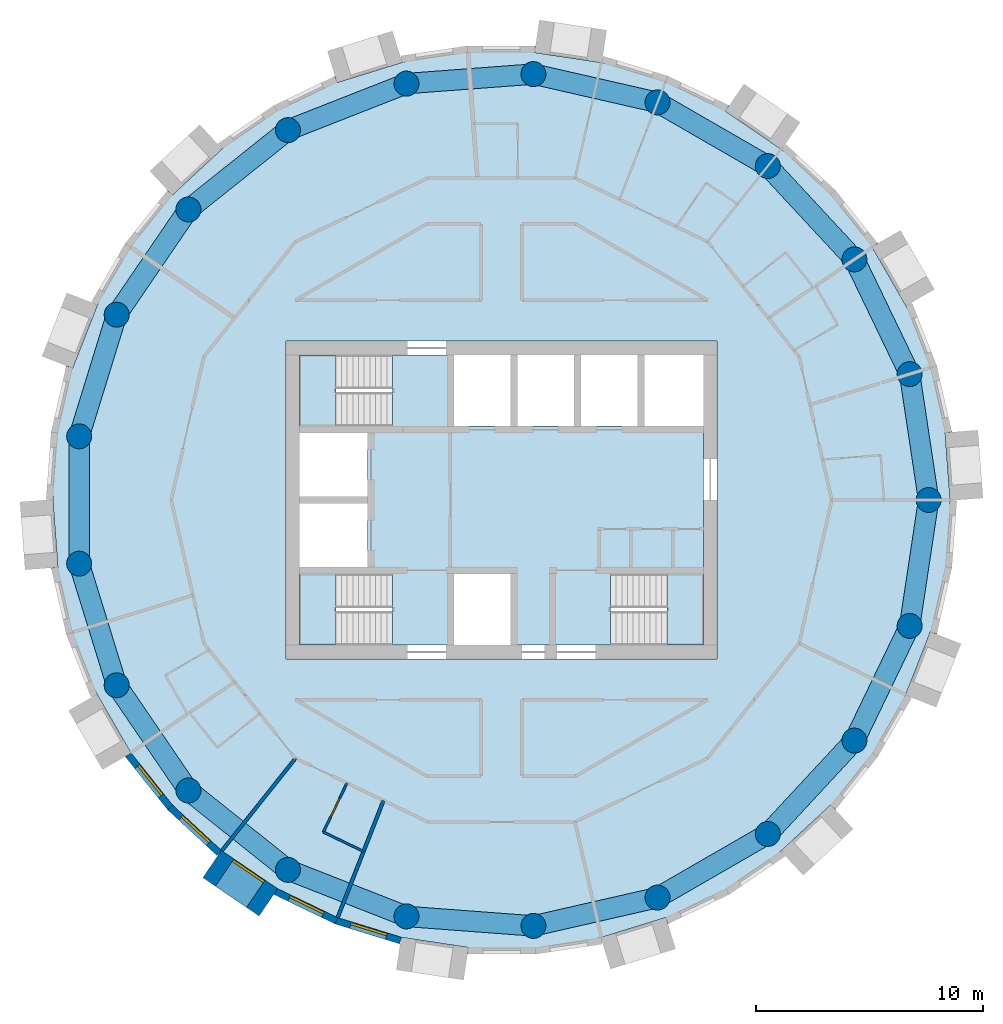
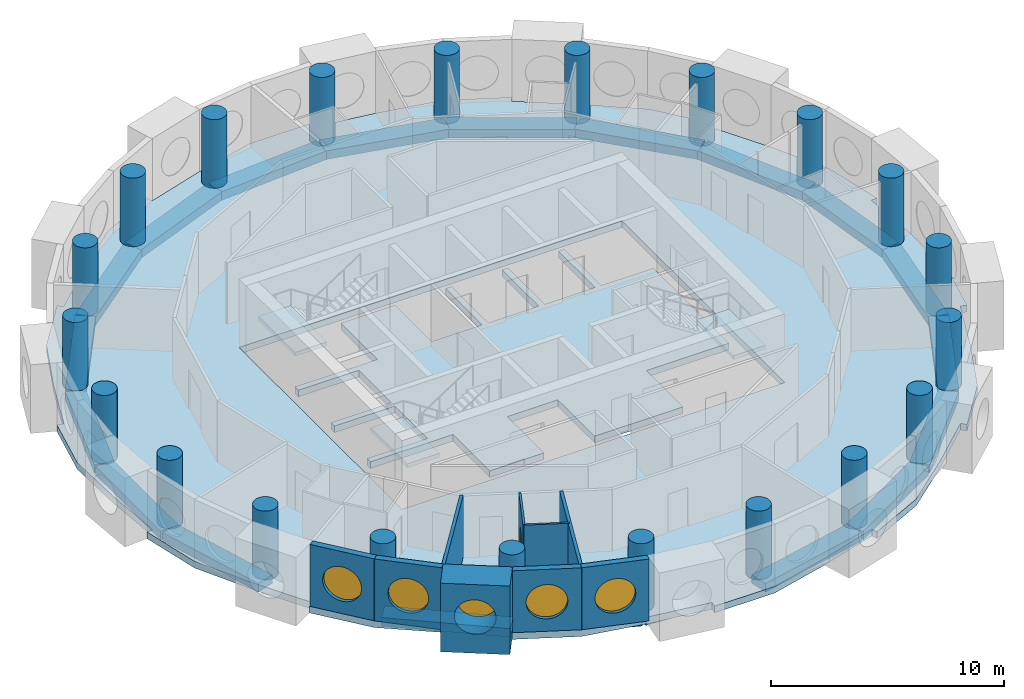
# One storey, part 1 of 13: 21 beams, 21 columns, 9 walls, 5 slabs, 5 windows, 1 door, 6 openings, 3 elements without a shape of their own.
"""IFC4 building model written with IfcOpenShell, lengths in metres."""

from ifc_helpers import new_model, si_unit, direction, frame, frame_2d, origin, origin_2d, place, context, subcontext, project, spatial, polyline, rectangle, circle, outline, extrude, material, layer, layer_set, material_profile, profile_set, type_object, element, fill, aggregate, save


model = new_model("IFC4")

# Units and contexts
model_context = context("Model", 3, precision=1e-05, world=origin(), true_north=direction((0.0, 1.0)))
body_context = subcontext(model_context, "Body", "Model", "MODEL_VIEW")
ifc_project = project(units=[si_unit("LENGTHUNIT", "METRE"), si_unit("AREAUNIT", "SQUARE_METRE"), si_unit("VOLUMEUNIT", "CUBIC_METRE"), si_unit("PLANEANGLEUNIT", "RADIAN"), si_unit("MASSUNIT", "GRAM", prefix="KILO")], contexts=[model_context])

# Site, building, storey
site_placement = place(None, origin())
site = spatial("IfcSite", under=ifc_project, at=site_placement, CompositionType="ELEMENT")
building_placement = place(site_placement, origin())
building = spatial("IfcBuilding", under=site, at=building_placement, Name="Tracery Tower", CompositionType="ELEMENT")
storey_placement = place(building_placement, frame((0.0, 0.0, 256.199951171875)))
storey = spatial("IfcBuildingStorey", under=building, at=storey_placement, Name="L66", CompositionType="ELEMENT", Elevation=256.199951171875)

# Columns
ifc_material_1 = material(Name="Concrete C40/50", Category="concrete")
ifc_material_profile_1 = material_profile(ifc_material_1, circle(Radius=0.550048828125, at=origin_2d()), Name="RC D1100")
ifc_profile_set_1 = profile_set([ifc_material_profile_1], Name="Concrete C40/50")
column_type = type_object("IfcColumnType", Name="Ring 2 column 1100", PredefinedType="COLUMN", material=ifc_profile_set_1)
for number, where, z_axis, x_axis, name in (
    (1, (18.822265625, 0.0, 0.0), (0.0, 0.0, 1.0), (1.0, 0.0, 0.0), "Ring 2 column 00 at L66"),
    (2, (17.986083984375, 5.5478515625, 0.0), (0.0, 0.0, 1.0), (1.0, 0.0, 0.0), "Ring 2 column 01 at L66"),
    (3, (15.551513671875, 10.602783203125, 0.0), (0.0, 0.0, 1.0), (1.0, 0.0, 0.0), "Ring 2 column 02 at L66"),
    (4, (11.7353515625, 14.7158203125, 0.0), (0.0, 0.0, 1.0), (1.0, 0.0, 0.0), "Ring 2 column 03 at L66"),
    (5, (6.87646484375, 17.52099609375, 0.0), (0.0, 0.0, 1.0), (1.0, 0.0, 0.0), "Ring 2 column 04 at L66"),
    (6, (1.406494140625, 18.76953125, 0.0), (0.0, 0.0, 1.0), (1.0, 0.0, 0.0), "Ring 2 column 05 at L66"),
    (7, (-4.188232421875, 18.350341796875, 0.0), (0.0, 0.0, 1.0), (1.0, 0.0, 0.0), "Ring 2 column 06 at L66"),
    (8, (-9.4111328125, 16.300537109375, 0.0), (0.0, 0.0, 1.0), (1.0, 0.0, 0.0), "Ring 2 column 07 at L66"),
    (9, (-13.797607421875, 12.802490234375, 0.0), (0.0, 0.0, 1.0), (1.0, 0.0, 0.0), "Ring 2 column 08 at L66"),
    (10, (-16.958251953125, 8.16650390625, 0.0), (0.0, 0.0, 1.0), (1.0, 0.0, 0.0), "Ring 2 column 09 at L66"),
    (11, (-18.612060546875, 2.805419921875, 0.0), (0.0, 0.0, 1.0), (1.0, 0.0, 0.0), "Ring 2 column 10 at L66"),
    (12, (-18.612060546875, -2.805419921875, 0.0), (0.0, 0.0, 1.0), (1.0, 0.0, 0.0), "Ring 2 column 11 at L66"),
    (13, (-16.958251953125, -8.166748046875, 0.0), (0.0, 0.0, 1.0), (1.0, 0.0, 0.0), "Ring 2 column 12 at L66"),
    (14, (-13.797607421875, -12.80224609375, 0.0), (0.0, 0.0, 1.0), (1.0, 0.0, 0.0), "Ring 2 column 13 at L66"),
    (15, (-9.4111328125, -16.300537109375, 0.0), (0.0, 0.0, 1.0), (1.0, 0.0, 0.0), "Ring 2 column 14 at L66"),
    (16, (-4.188232421875, -18.350341796875, 0.0), (0.0, 0.0, 1.0), (1.0, 0.0, 0.0), "Ring 2 column 15 at L66"),
    (17, (1.406494140625, -18.76953125, 0.0), (0.0, 0.0, 1.0), (1.0, 0.0, 0.0), "Ring 2 column 16 at L66"),
    (18, (6.87646484375, -17.52099609375, 0.0), (0.0, 0.0, 1.0), (1.0, 0.0, 0.0), "Ring 2 column 17 at L66"),
    (19, (11.7353515625, -14.7158203125, 0.0), (0.0, 0.0, 1.0), (1.0, 0.0, 0.0), "Ring 2 column 18 at L66"),
    (20, (15.551513671875, -10.602783203125, 0.0), (0.0, 0.0, 1.0), (1.0, 0.0, 0.0), "Ring 2 column 19 at L66"),
    (21, (17.986083984375, -5.5478515625, 0.0), (0.0, 0.0, 1.0), (1.0, 0.0, 0.0), "Ring 2 column 20 at L66"),
):
    element("IfcColumn", number, at=place(storey_placement, frame(where, z_axis=z_axis, x_axis=x_axis)), inside=storey, type_object=column_type, Name=name, PredefinedType="COLUMN", context=body_context, shape_type="SweptSolid", body=[
        extrude(circle(Radius=0.550048828125, at=origin_2d()), origin(), (0.0, 0.0, 1.0), 3.60009765625),
    ])

# Beams
ifc_material_2 = material(Name="Concrete C40/50", Category="concrete")
ifc_material_profile_2 = material_profile(ifc_material_2, rectangle(XDim=0.89990234375, YDim=0.449951171875, at=origin_2d()), Name="RC 900x450")
ifc_profile_set_2 = profile_set([ifc_material_profile_2], Name="Concrete C40/50")
beam_type = type_object("IfcBeamType", Name="Perimeter band beam 900x450", PredefinedType="BEAM", material=ifc_profile_set_2)
for number, where, z_axis, x_axis, name in (
    (22, (18.822265625, 0.0, -0.574951171875), (-0.149038355855, 0.988831415603, 0.0), (-0.988831415603, -0.149038355855, 0.0), "Perimeter beam 2.00 under L66"),
    (23, (17.986083984375, 5.5478515625, -0.574951171875), (-0.433918973155, 0.900951899235, 0.0), (-0.900951899235, -0.433918973155, 0.0), "Perimeter beam 2.01 under L66"),
):
    element("IfcBeam", number, at=place(storey_placement, frame(where, z_axis=z_axis, x_axis=x_axis)), inside=storey, type_object=beam_type, Name=name, PredefinedType="BEAM", context=body_context, shape_type="SweptSolid", body=[
        extrude(rectangle(XDim=0.89990234375, YDim=0.449951171875, at=origin_2d()), origin(), (0.0, 0.0, 1.0), 5.610595703125),
    ])
beam_1_placement = place(storey_placement, frame((15.551513671875, 10.602783203125, -0.574951171875), z_axis=(-0.680155630824, 0.733067744386, 0.0), x_axis=(-0.733067744386, -0.680155630824, 0.0)))
element("IfcBeam", 24, at=beam_1_placement, inside=storey, type_object=beam_type, Name="Perimeter beam 2.02 under L66", PredefinedType="BEAM", context=body_context, shape_type="SweptSolid", body=[
    extrude(rectangle(XDim=0.89990234375, YDim=0.449951171875, at=origin_2d()), origin(), (0.0, 0.0, 1.0), 5.61083984375),
])
for number, where, z_axis, x_axis, name in (
    (25, (11.7353515625, 14.7158203125, -0.574951171875), (-0.866033412818, 0.49998612769, 0.0), (-0.49998612769, -0.866033412818, 0.0), "Perimeter beam 2.03 under L66"),
    (26, (6.87646484375, 17.52099609375, -0.574951171875), (-0.974925977366, 0.222529410768, 0.0), (-0.222529410768, -0.974925977366, 0.0), "Perimeter beam 2.04 under L66"),
):
    element("IfcBeam", number, at=place(storey_placement, frame(where, z_axis=z_axis, x_axis=x_axis)), inside=storey, type_object=beam_type, Name=name, PredefinedType="BEAM", context=body_context, shape_type="SweptSolid", body=[
        extrude(rectangle(XDim=0.89990234375, YDim=0.449951171875, at=origin_2d()), origin(), (0.0, 0.0, 1.0), 5.610595703125),
    ])
beam_2_placement = place(storey_placement, frame((1.406494140625, 18.76953125, -0.574951171875), z_axis=(-0.997204824387, -0.07471638521, 0.0), x_axis=(0.07471638521, -0.997204824387, 0.0)))
element("IfcBeam", 27, at=beam_2_placement, inside=storey, type_object=beam_type, Name="Perimeter beam 2.05 under L66", PredefinedType="BEAM", context=body_context, shape_type="SweptSolid", body=[
    extrude(rectangle(XDim=0.89990234375, YDim=0.449951171875, at=origin_2d()), origin(), (0.0, 0.0, 1.0), 5.6103515625),
])
beam_3_placement = place(storey_placement, frame((-4.188232421875, 18.350341796875, -0.574951171875), z_axis=(-0.930875728468, -0.365335979817, 0.0), x_axis=(0.365335979817, -0.930875728468, 0.0)))
element("IfcBeam", 28, at=beam_3_placement, inside=storey, type_object=beam_type, Name="Perimeter beam 2.06 under L66", PredefinedType="BEAM", context=body_context, shape_type="SweptSolid", body=[
    extrude(rectangle(XDim=0.89990234375, YDim=0.449951171875, at=origin_2d()), origin(), (0.0, 0.0, 1.0), 5.61083984375),
])
beam_4_placement = place(storey_placement, frame((-9.4111328125, 16.300537109375, -0.574951171875), z_axis=(-0.781835817725, -0.623484365579, 0.0), x_axis=(0.623484365579, -0.781835817725, 0.0)))
element("IfcBeam", 29, at=beam_4_placement, inside=storey, type_object=beam_type, Name="Perimeter beam 2.07 under L66", PredefinedType="BEAM", context=body_context, shape_type="SweptSolid", body=[
    extrude(rectangle(XDim=0.89990234375, YDim=0.449951171875, at=origin_2d()), origin(), (0.0, 0.0, 1.0), 5.610595703125),
])
beam_5_placement = place(storey_placement, frame((-13.797607421875, 12.802490234375, -0.574951171875), z_axis=(-0.563305770578, -0.826248515178, 0.0), x_axis=(0.826248515178, -0.563305770578, 0.0)))
element("IfcBeam", 30, at=beam_5_placement, inside=storey, type_object=beam_type, Name="Perimeter beam 2.08 under L66", PredefinedType="BEAM", context=body_context, shape_type="SweptSolid", body=[
    extrude(rectangle(XDim=0.89990234375, YDim=0.449951171875, at=origin_2d()), origin(), (0.0, 0.0, 1.0), 5.61083984375),
])
beam_6_placement = place(storey_placement, frame((-16.958251953125, 8.16650390625, -0.574951171875), z_axis=(-0.294776851839, -0.955566118916, 0.0), x_axis=(0.955566118916, -0.294776851839, 0.0)))
element("IfcBeam", 31, at=beam_6_placement, inside=storey, type_object=beam_type, Name="Perimeter beam 2.09 under L66", PredefinedType="BEAM", context=body_context, shape_type="SweptSolid", body=[
    extrude(rectangle(XDim=0.89990234375, YDim=0.449951171875, at=origin_2d()), origin(), (0.0, 0.0, 1.0), 5.6103515625),
])
beam_7_placement = place(storey_placement, frame((-18.612060546875, 2.805419921875, -0.574951171875), z_axis=(0.0, -1.0, 0.0), x_axis=(1.0, 0.0, 0.0)))
element("IfcBeam", 32, at=beam_7_placement, inside=storey, type_object=beam_type, Name="Perimeter beam 2.10 under L66", PredefinedType="BEAM", context=body_context, shape_type="SweptSolid", body=[
    extrude(rectangle(XDim=0.89990234375, YDim=0.449951171875, at=origin_2d()), origin(), (0.0, 0.0, 1.0), 5.61083984375),
])
for number, where, z_axis, x_axis, name in (
    (33, (-18.612060546875, -2.805419921875, -0.574951171875), (0.294764594813, -0.955569899926, 0.0), (0.955569899926, 0.294764594813, 0.0), "Perimeter beam 2.11 under L66"),
    (34, (-16.958251953125, -8.166748046875, -0.574951171875), (0.5633462764, -0.826220898348, 0.0), (0.826220898348, 0.5633462764, 0.0), "Perimeter beam 2.12 under L66"),
    (35, (-13.797607421875, -12.80224609375, -0.574951171875), (0.781814605872, -0.623510963853, 0.0), (0.623510963853, 0.781814605872, 0.0), "Perimeter beam 2.13 under L66"),
):
    element("IfcBeam", number, at=place(storey_placement, frame(where, z_axis=z_axis, x_axis=x_axis)), inside=storey, type_object=beam_type, Name=name, PredefinedType="BEAM", context=body_context, shape_type="SweptSolid", body=[
        extrude(rectangle(XDim=0.89990234375, YDim=0.449951171875, at=origin_2d()), origin(), (0.0, 0.0, 1.0), 5.610595703125),
    ])
beam_8_placement = place(storey_placement, frame((-9.4111328125, -16.300537109375, -0.574951171875), z_axis=(0.930875728468, -0.365335979817, 0.0), x_axis=(0.365335979817, 0.930875728468, 0.0)))
element("IfcBeam", 36, at=beam_8_placement, inside=storey, type_object=beam_type, Name="Perimeter beam 2.14 under L66", PredefinedType="BEAM", context=body_context, shape_type="SweptSolid", body=[
    extrude(rectangle(XDim=0.89990234375, YDim=0.449951171875, at=origin_2d()), origin(), (0.0, 0.0, 1.0), 5.61083984375),
])
beam_9_placement = place(storey_placement, frame((-4.188232421875, -18.350341796875, -0.574951171875), z_axis=(0.997204824387, -0.07471638521, 0.0), x_axis=(0.07471638521, 0.997204824387, 0.0)))
element("IfcBeam", 37, at=beam_9_placement, inside=storey, type_object=beam_type, Name="Perimeter beam 2.15 under L66", PredefinedType="BEAM", context=body_context, shape_type="SweptSolid", body=[
    extrude(rectangle(XDim=0.89990234375, YDim=0.449951171875, at=origin_2d()), origin(), (0.0, 0.0, 1.0), 5.6103515625),
])
for number, where, z_axis, x_axis, name in (
    (38, (1.406494140625, -18.76953125, -0.574951171875), (0.974925977366, 0.222529410768, 0.0), (-0.222529410768, 0.974925977366, 0.0), "Perimeter beam 2.16 under L66"),
    (39, (6.87646484375, -17.52099609375, -0.574951171875), (0.866033412818, 0.49998612769, 0.0), (-0.49998612769, 0.866033412818, 0.0), "Perimeter beam 2.17 under L66"),
):
    element("IfcBeam", number, at=place(storey_placement, frame(where, z_axis=z_axis, x_axis=x_axis)), inside=storey, type_object=beam_type, Name=name, PredefinedType="BEAM", context=body_context, shape_type="SweptSolid", body=[
        extrude(rectangle(XDim=0.89990234375, YDim=0.449951171875, at=origin_2d()), origin(), (0.0, 0.0, 1.0), 5.610595703125),
    ])
beam_10_placement = place(storey_placement, frame((11.7353515625, -14.7158203125, -0.574951171875), z_axis=(0.680155630824, 0.733067744386, 0.0), x_axis=(-0.733067744386, 0.680155630824, 0.0)))
element("IfcBeam", 40, at=beam_10_placement, inside=storey, type_object=beam_type, Name="Perimeter beam 2.18 under L66", PredefinedType="BEAM", context=body_context, shape_type="SweptSolid", body=[
    extrude(rectangle(XDim=0.89990234375, YDim=0.449951171875, at=origin_2d()), origin(), (0.0, 0.0, 1.0), 5.61083984375),
])
for number, where, z_axis, x_axis, name in (
    (41, (15.551513671875, -10.602783203125, -0.574951171875), (0.433918973155, 0.900951899235, 0.0), (-0.900951899235, 0.433918973155, 0.0), "Perimeter beam 2.19 under L66"),
    (42, (17.986083984375, -5.5478515625, -0.574951171875), (0.149038355855, 0.988831415603, 0.0), (-0.988831415603, 0.149038355855, 0.0), "Perimeter beam 2.20 under L66"),
):
    element("IfcBeam", number, at=place(storey_placement, frame(where, z_axis=z_axis, x_axis=x_axis)), inside=storey, type_object=beam_type, Name=name, PredefinedType="BEAM", context=body_context, shape_type="SweptSolid", body=[
        extrude(rectangle(XDim=0.89990234375, YDim=0.449951171875, at=origin_2d()), origin(), (0.0, 0.0, 1.0), 5.610595703125),
    ])

# Slabs
ifc_material_3 = material(Name="Concrete C40/50", Category="concrete")
ifc_layer_1 = layer(ifc_material_3, 0.35009765625)
ifc_layer_set_1 = layer_set([ifc_layer_1], Name="Core floor slab 350 C40")
slab_type_1 = type_object("IfcSlabType", Name="Core floor slab 350 C40", PredefinedType="FLOOR", material=ifc_layer_set_1)
slab_1_placement = place(storey_placement, frame((0.0, 0.0, -0.349853515625)))
element("IfcSlab", 43, at=slab_1_placement, inside=storey, type_object=slab_type_1, Name="L66 core floor 1", PredefinedType="FLOOR", context=body_context, shape_type="SweptSolid", body=[
    extrude(outline(polyline([(-4.800537109375, -3.25), (-8.89990234375, -3.25), (-8.89990234375, -2.949951171875), (-5.89990234375, -2.949951171875), (-5.89990234375, -0.14990234375), (-8.89990234375, -0.14990234375), (-8.89990234375, 0.14990234375), (-5.89990234375, 0.14990234375), (-5.89990234375, 2.949951171875), (-8.89990234375, 2.949951171875), (-8.89990234375, 3.25), (-4.800537109375, 3.25), (-4.800537109375, 6.39990234375), (-2.10009765625, 6.39990234375), (-2.10009765625, 3.25), (0.39990234375, 3.25), (0.39990234375, 6.39990234375), (0.699951171875, 6.39990234375), (0.699951171875, 3.25), (3.199951171875, 3.25), (3.199951171875, 6.39990234375), (3.5, 6.39990234375), (3.5, 3.25), (6.0, 3.25), (6.0, 6.39990234375), (6.300048828125, 6.39990234375), (6.300048828125, 3.25), (8.89990234375, 3.25), (8.89990234375, -3.25), (4.800537109375, -3.25), (4.800537109375, -6.39990234375), (0.39990234375, -6.39990234375), (0.39990234375, -3.25), (-2.10009765625, -3.25), (-2.10009765625, -6.39990234375), (-4.800537109375, -6.39990234375), (-4.800537109375, -3.25)])), origin(), (0.0, 0.0, 1.0), 0.349853515625),
])
ifc_material_4 = material(Name="Concrete C40/50", Category="concrete")
ifc_layer_2 = layer(ifc_material_4, 0.35009765625)
ifc_layer_set_2 = layer_set([ifc_layer_2], Name="Floor slab 350")
slab_type_2 = type_object("IfcSlabType", Name="Floor slab 350", PredefinedType="FLOOR", material=ifc_layer_set_2)
slab_2_placement = place(storey_placement, frame((0.0, 0.0, -0.349853515625)))
element("IfcSlab", 44, at=slab_2_placement, inside=storey, type_object=slab_type_2, Name="Floor slab L66", PredefinedType="FLOOR", context=body_context, shape_type="SweptSolid", body=[
    extrude(outline(polyline([(19.550537109375, 2.94677734375), (19.548828125, 2.96923828125), (19.847900390625, 2.99169921875), (19.180419921875, 5.91650390625), (17.813720703125, 8.577880859375), (16.32470703125, 11.156982421875), (16.583984375, 11.306884765625), (16.58447265625, 11.30712890625), (14.714111328125, 13.652587890625), (12.3271484375, 15.4580078125), (9.8671875, 17.13525390625), (10.0361328125, 17.383056640625), (7.333251953125, 18.684814453125), (4.3994140625, 19.275634765625), (2.3466796875, 19.585205078125), (1.455322265625, 19.719482421875), (1.5, 20.01611328125), (1.5, 20.01611328125), (-1.5, 20.01611328125), (-4.3994140625, 19.275634765625), (-7.223388671875, 18.404541015625), (-7.223388671875, 18.404541015625), (-7.244873046875, 18.39794921875), (-7.333251953125, 18.684814453125), (-10.0361328125, 17.383056640625), (-12.3271484375, 15.4580078125), (-14.493408203125, 13.447998046875), (-14.493408203125, 13.447998046875), (-14.510009765625, 13.4326171875), (-14.714111328125, 13.652587890625), (-14.714111328125, 13.652587890625), (-16.58447265625, 11.30712890625), (-17.81298828125, 8.5791015625), (-18.901123046875, 5.806884765625), (-19.180419921875, 5.91650390625), (-19.847900390625, 2.99169921875), (-19.771484375, 0.000732421875), (-19.63720703125, -1.789306640625), (-19.550537109375, -2.94677734375), (-19.550537109375, -2.94677734375), (-19.548828125, -2.96923828125), (-19.847900390625, -2.99169921875), (-19.180419921875, -5.91650390625), (-17.813720703125, -8.577880859375), (-16.32470703125, -11.156982421875), (-16.583984375, -11.306884765625), (-16.58447265625, -11.30712890625), (-14.714111328125, -13.652587890625), (-12.3271484375, -15.4580078125), (-9.8671875, -17.13525390625), (-10.0361328125, -17.383056640625), (-7.333251953125, -18.684814453125), (-4.3994140625, -19.275634765625), (-2.3466796875, -19.585205078125), (-1.455322265625, -19.719482421875), (-1.5, -20.01611328125), (-1.5, -20.01611328125), (1.5, -20.01611328125), (4.3994140625, -19.275634765625), (7.223388671875, -18.404541015625), (7.223388671875, -18.404541015625), (7.244873046875, -18.39794921875), (7.333251953125, -18.684814453125), (10.0361328125, -17.383056640625), (12.3271484375, -15.4580078125), (14.493408203125, -13.447998046875), (14.493408203125, -13.447998046875), (14.510009765625, -13.4326171875), (14.714111328125, -13.652587890625), (14.714111328125, -13.652587890625), (16.58447265625, -11.30712890625), (17.81298828125, -8.5791015625), (18.901123046875, -5.806884765625), (19.180419921875, -5.91650390625), (19.847900390625, -2.99169921875), (19.771484375, -0.000732421875), (19.63720703125, 1.789306640625), (19.550537109375, 2.94677734375), (19.550537109375, 2.94677734375)]), holes=[polyline([(-9.5, -7.0), (9.5, -7.0), (9.5, 7.0), (-9.5, 7.0), (-9.5, -7.0)])]), origin(), (0.0, 0.0, 1.0), 0.349853515625),
])

# Stair, slab
ifc_material_5 = material(Name="Concrete C32/40", Category="concrete")
stair_type = type_object("IfcStairType", Name="Core stair 22 risers", PredefinedType="HALF_TURN_STAIR", material=ifc_material_5)
stair_1_placement = place(storey_placement, origin())
stair_1 = element("IfcStair", 45, at=stair_1_placement, inside=storey, type_object=stair_type, Name="L66 stair ST1", PredefinedType="HALF_TURN_STAIR")
ifc_material_6 = material(Name="Concrete C32/40", Category="concrete")
ifc_layer_3 = layer(ifc_material_6, 0.199951171875)
ifc_layer_set_3 = layer_set([ifc_layer_3], Name="Stair landing slab 200")
slab_type_3 = type_object("IfcSlabType", Name="Stair landing slab 200", PredefinedType="LANDING", material=ifc_layer_set_3)
slab_3_placement = place(storey_placement, frame((0.0, 0.0, 1.60009765625)))
slab_3 = element("IfcSlab", 46, at=slab_3_placement, type_object=slab_type_3, Name="ST1 landing 1", PredefinedType="LANDING", context=body_context, shape_type="SweptSolid", body=[
    extrude(outline(polyline([(-7.29931640625, -3.25), (-8.89990234375, -3.25), (-8.89990234375, -6.39990234375), (-7.29931640625, -6.39990234375), (-7.29931640625, -3.25)])), origin(), (0.0, 0.0, 1.0), 0.199951171875),
])
aggregate(stair_1, [slab_3])

stair_2_placement = place(storey_placement, origin())
stair_2 = element("IfcStair", 47, at=stair_2_placement, inside=storey, type_object=stair_type, Name="L66 stair ST3", PredefinedType="HALF_TURN_STAIR")
slab_4_placement = place(storey_placement, frame((0.0, 0.0, 1.60009765625)))
slab_4 = element("IfcSlab", 48, at=slab_4_placement, type_object=slab_type_3, Name="ST3 landing 1", PredefinedType="LANDING", context=body_context, shape_type="SweptSolid", body=[
    extrude(outline(polyline([(-7.29931640625, 6.39990234375), (-8.89990234375, 6.39990234375), (-8.89990234375, 3.25), (-7.29931640625, 3.25), (-7.29931640625, 6.39990234375)])), origin(), (0.0, 0.0, 1.0), 0.199951171875),
])
aggregate(stair_2, [slab_4])

stair_3_placement = place(storey_placement, origin())
stair_3 = element("IfcStair", 49, at=stair_3_placement, inside=storey, type_object=stair_type, Name="L66 stair ST2", PredefinedType="HALF_TURN_STAIR")
slab_5_placement = place(storey_placement, frame((0.0, 0.0, 1.60009765625)))
slab_5 = element("IfcSlab", 50, at=slab_5_placement, type_object=slab_type_3, Name="ST2 landing 1", PredefinedType="LANDING", context=body_context, shape_type="SweptSolid", body=[
    extrude(outline(polyline([(7.29931640625, -6.39990234375), (8.89990234375, -6.39990234375), (8.89990234375, -3.25), (7.29931640625, -3.25), (7.29931640625, -6.39990234375)])), origin(), (0.0, 0.0, 1.0), 0.199951171875),
])
aggregate(stair_3, [slab_5])

# Wall, opening, window
ifc_material_7 = material(Name="Precast concrete C50/60", Category="concrete")
ifc_layer_4 = layer(ifc_material_7, 1.449951171875)
ifc_layer_set_4 = layer_set([ifc_layer_4], Name="Deep-set bay unit 3000 x 3600, slab edge 350")
wall_type_1 = type_object("IfcWallType", Name="Deep-set bay unit 3000 x 3600, slab edge 350", PredefinedType="ELEMENTEDWALL", material=ifc_layer_set_4)
wall_1_placement = place(storey_placement, frame((-12.754150390625, -16.044189453125, -0.349853515625), z_axis=(0.0, 0.0, 1.0), x_axis=(0.826246281157, -0.563309047392, 0.0)))
wall_1 = element("IfcWall", 51, at=wall_1_placement, inside=storey, type_object=wall_type_1, Name="Deep-set bay unit 28 at L66", PredefinedType="ELEMENTEDWALL", context=body_context, shape_type="SweptSolid", body=[
    extrude(rectangle(XDim=3.0, YDim=1.449951171875, at=frame_2d((1.5, 0.0))), origin(), (0.0, 0.0, 1.0), 3.599853515625),
])
opening_1_placement = place(wall_1_placement, frame((1.5, 0.0, 1.89990234375)))
opening_1 = element("IfcOpeningElement", 52, at=opening_1_placement, cuts=wall_1, Name="Opening WN1", PredefinedType="OPENING", context=body_context, shape_type="SweptSolid", body=[
    extrude(circle(Radius=0.9000244140625, at=origin_2d()), frame((0.0, 0.73486328125, 0.0), z_axis=(0.0, -1.0, 0.0), x_axis=(1.0, 0.0, 0.0)), (0.0, 0.0, 1.0), 1.469970703125),
])
ifc_material_8 = material(Name="Aluminium frame with tinted double glazing", Category="aluminium")
window_type = type_object("IfcWindowType", Name="Round window 1800", PartitioningType="SINGLE_PANEL", PredefinedType="WINDOW", material=ifc_material_8)
window_1_placement = place(opening_1_placement, origin())
window_1 = element("IfcWindow", 53, at=window_1_placement, inside=storey, type_object=window_type, Name="Round window 28 at L66", OverallHeight=1.800048828125, OverallWidth=1.800048828125, PartitioningType="SINGLE_PANEL", PredefinedType="WINDOW", context=body_context, shape_type="SweptSolid", body=[
    extrude(circle(Radius=0.9000244140625, at=origin_2d()), frame((0.0, 0.69482421875, 0.0), z_axis=(0.0, -1.0, 0.0), x_axis=(1.0, 0.0, 0.0)), (0.0, 0.0, 1.0), 0.10009765625),
])
fill(opening_1, window_1)

ifc_material_9 = material(Name="Precast concrete C50/60", Category="concrete")
ifc_layer_5 = layer(ifc_material_9, 0.300048828125)
ifc_layer_set_5 = layer_set([ifc_layer_5], Name="Facade panel 3000 x 3250")
wall_type_2 = type_object("IfcWallType", Name="Facade panel 3000 x 3250", PredefinedType="SOLIDWALL", material=ifc_layer_set_5)
wall_2_placement = place(storey_placement, frame((-16.45068359375, -11.234375, 0.0), z_axis=(0.0, 0.0, 1.0), x_axis=(0.623498236992, -0.781824755599, 0.0)))
wall_2 = element("IfcWall", 54, at=wall_2_placement, inside=storey, type_object=wall_type_2, Name="Facade panel 26 at L66", PredefinedType="SOLIDWALL", context=body_context, shape_type="SweptSolid", body=[
    extrude(rectangle(XDim=2.962158203125, YDim=0.300048828125, at=frame_2d((1.48095703125, 0.0))), origin(), (0.0, 0.0, 1.0), 3.25),
])
opening_2_placement = place(wall_2_placement, frame((1.48095703125, 0.0, 1.5498046875)))
opening_2 = element("IfcOpeningElement", 55, at=opening_2_placement, cuts=wall_2, Name="Opening WN1", PredefinedType="OPENING", context=body_context, shape_type="SweptSolid", body=[
    extrude(circle(Radius=0.9000244140625, at=origin_2d()), frame((0.0, 0.159912109375, 0.0), z_axis=(0.0, -1.0, 0.0), x_axis=(1.0, 0.0, 0.0)), (0.0, 0.0, 1.0), 0.320068359375),
])
window_2_placement = place(opening_2_placement, origin())
window_2 = element("IfcWindow", 56, at=window_2_placement, inside=storey, type_object=window_type, Name="Round window 26 at L66", OverallHeight=1.800048828125, OverallWidth=1.800048828125, PartitioningType="SINGLE_PANEL", PredefinedType="WINDOW", context=body_context, shape_type="SweptSolid", body=[
    extrude(circle(Radius=0.9000244140625, at=origin_2d()), frame((0.0, 0.1201171875, 0.0), z_axis=(0.0, -1.0, 0.0), x_axis=(1.0, 0.0, 0.0)), (0.0, 0.0, 1.0), 0.10009765625),
])
fill(opening_2, window_2)

wall_3_placement = place(storey_placement, frame((-14.603759765625, -13.55029296875, 0.0), z_axis=(0.0, 0.0, 1.0), x_axis=(0.733066412643, -0.680157066165, 0.0)))
wall_3 = element("IfcWall", 57, at=wall_3_placement, inside=storey, type_object=wall_type_2, Name="Facade panel 27 at L66", PredefinedType="SOLIDWALL", context=body_context, shape_type="SweptSolid", body=[
    extrude(rectangle(XDim=2.96240234375, YDim=0.300048828125, at=frame_2d((1.481201171875, 0.0))), origin(), (0.0, 0.0, 1.0), 3.25),
])
opening_3_placement = place(wall_3_placement, frame((1.48095703125, 0.0, 1.5498046875)))
opening_3 = element("IfcOpeningElement", 58, at=opening_3_placement, cuts=wall_3, Name="Opening WN1", PredefinedType="OPENING", context=body_context, shape_type="SweptSolid", body=[
    extrude(circle(Radius=0.9000244140625, at=origin_2d()), frame((0.0, 0.159912109375, 0.0), z_axis=(0.0, -1.0, 0.0), x_axis=(1.0, 0.0, 0.0)), (0.0, 0.0, 1.0), 0.320068359375),
])
window_3_placement = place(opening_3_placement, origin())
window_3 = element("IfcWindow", 59, at=window_3_placement, inside=storey, type_object=window_type, Name="Round window 27 at L66", OverallHeight=1.800048828125, OverallWidth=1.800048828125, PartitioningType="SINGLE_PANEL", PredefinedType="WINDOW", context=body_context, shape_type="SweptSolid", body=[
    extrude(circle(Radius=0.9000244140625, at=origin_2d()), frame((0.0, 0.1201171875, 0.0), z_axis=(0.0, -1.0, 0.0), x_axis=(1.0, 0.0, 0.0)), (0.0, 0.0, 1.0), 0.10009765625),
])
fill(opening_3, window_3)

wall_4_placement = place(storey_placement, frame((-9.947021484375, -17.25927734375, 0.0), z_axis=(0.0, 0.0, 1.0), x_axis=(0.900939615635, -0.433944476838, 0.0)))
wall_4 = element("IfcWall", 60, at=wall_4_placement, inside=storey, type_object=wall_type_2, Name="Facade panel 29 at L66", PredefinedType="SOLIDWALL", context=body_context, shape_type="SweptSolid", body=[
    extrude(rectangle(XDim=2.962158203125, YDim=0.300048828125, at=frame_2d((1.48095703125, 0.0))), origin(), (0.0, 0.0, 1.0), 3.25),
])
opening_4_placement = place(wall_4_placement, frame((1.48095703125, 0.0, 1.5498046875)))
opening_4 = element("IfcOpeningElement", 61, at=opening_4_placement, cuts=wall_4, Name="Opening WN1", PredefinedType="OPENING", context=body_context, shape_type="SweptSolid", body=[
    extrude(circle(Radius=0.9000244140625, at=origin_2d()), frame((0.0, 0.159912109375, 0.0), z_axis=(0.0, -1.0, 0.0), x_axis=(1.0, 0.0, 0.0)), (0.0, 0.0, 1.0), 0.320068359375),
])
window_4_placement = place(opening_4_placement, origin())
window_4 = element("IfcWindow", 62, at=window_4_placement, inside=storey, type_object=window_type, Name="Round window 29 at L66", OverallHeight=1.800048828125, OverallWidth=1.800048828125, PartitioningType="SINGLE_PANEL", PredefinedType="WINDOW", context=body_context, shape_type="SweptSolid", body=[
    extrude(circle(Radius=0.9000244140625, at=origin_2d()), frame((0.0, 0.1201171875, 0.0), z_axis=(0.0, -1.0, 0.0), x_axis=(1.0, 0.0, 0.0)), (0.0, 0.0, 1.0), 0.10009765625),
])
fill(opening_4, window_4)

wall_5_placement = place(storey_placement, frame((-7.2783203125, -18.544677734375, 0.0), z_axis=(0.0, 0.0, 1.0), x_axis=(0.95558635705, -0.294711238707, 0.0)))
wall_5 = element("IfcWall", 63, at=wall_5_placement, inside=storey, type_object=wall_type_2, Name="Facade panel 30 at L66", PredefinedType="SOLIDWALL", context=body_context, shape_type="SweptSolid", body=[
    extrude(rectangle(XDim=2.96240234375, YDim=0.300048828125, at=frame_2d((1.481201171875, 0.0))), origin(), (0.0, 0.0, 1.0), 3.25),
])
opening_5_placement = place(wall_5_placement, frame((1.48095703125, 0.0, 1.5498046875)))
opening_5 = element("IfcOpeningElement", 64, at=opening_5_placement, cuts=wall_5, Name="Opening WN1", PredefinedType="OPENING", context=body_context, shape_type="SweptSolid", body=[
    extrude(circle(Radius=0.9000244140625, at=origin_2d()), frame((0.0, 0.159912109375, 0.0), z_axis=(0.0, -1.0, 0.0), x_axis=(1.0, 0.0, 0.0)), (0.0, 0.0, 1.0), 0.320068359375),
])
window_5_placement = place(opening_5_placement, origin())
window_5 = element("IfcWindow", 65, at=window_5_placement, inside=storey, type_object=window_type, Name="Round window 30 at L66", OverallHeight=1.800048828125, OverallWidth=1.800048828125, PartitioningType="SINGLE_PANEL", PredefinedType="WINDOW", context=body_context, shape_type="SweptSolid", body=[
    extrude(circle(Radius=0.9000244140625, at=origin_2d()), frame((0.0, 0.1201171875, 0.0), z_axis=(0.0, -1.0, 0.0), x_axis=(1.0, 0.0, 0.0)), (0.0, 0.0, 1.0), 0.10009765625),
])
fill(opening_5, window_5)

# Wall, opening, door
ifc_material_10 = material(Name="Plasterboard on steel studs", Category="steel")
ifc_layer_6 = layer(ifc_material_10, 0.10009765625)
ifc_layer_set_6 = layer_set([ifc_layer_6], Name="Partition 100 wet wall")
wall_type_3 = type_object("IfcWallType", Name="Partition 100 wet wall", PredefinedType="PARTITIONING", material=ifc_layer_set_6)
wall_6_placement = place(storey_placement, frame((-7.85009765625, -14.635009765625, 0.0), z_axis=(0.0, 0.0, 1.0), x_axis=(0.433815618773, 0.901001669759, 0.0)))
wall_6 = element("IfcWall", 66, at=wall_6_placement, inside=storey, type_object=wall_type_3, Name="Wet wall RC3-077", PredefinedType="PARTITIONING", context=body_context, shape_type="SweptSolid", body=[
    extrude(rectangle(XDim=2.399658203125, YDim=0.10009765625, at=frame_2d((1.19970703125, 0.0))), origin(), (0.0, 0.0, 1.0), 3.25),
])
opening_6_placement = place(wall_6_placement, frame((0.74951171875, 0.0, 0.0)))
opening_6 = element("IfcOpeningElement", 67, at=opening_6_placement, cuts=wall_6, Name="Opening RC3-22", PredefinedType="OPENING", context=body_context, shape_type="SweptSolid", body=[
    extrude(rectangle(XDim=0.89990234375, YDim=2.0400390625, at=frame_2d((0.449951171875, 1.02001953125))), frame((0.0, 0.050048828125, 0.0), z_axis=(0.0, -1.0, 0.0), x_axis=(1.0, 0.0, 0.0)), (0.0, 0.0, 1.0), 0.10009765625),
])
ifc_material_11 = material(Name="Timber door leaf", Category="wood")
door_type = type_object("IfcDoorType", Name="Door en-suite 900", OperationType="NOTDEFINED", PredefinedType="DOOR", material=ifc_material_11)
door_placement = place(opening_6_placement, origin())
door = element("IfcDoor", 68, at=door_placement, inside=storey, type_object=door_type, Name="En-suite door RC3-22", OperationType="SINGLE_SWING_RIGHT", OverallHeight=2.0400390625, OverallWidth=0.89990234375, PredefinedType="DOOR", context=body_context, shape_type="SweptSolid", body=[
    extrude(rectangle(XDim=0.89990234375, YDim=2.0400390625, at=frame_2d((0.449951171875, 1.02001953125))), frame((0.0, 0.02490234375, 0.0), z_axis=(0.0, -1.0, 0.0), x_axis=(1.0, 0.0, 0.0)), (0.0, 0.0, 1.0), 0.050048828125),
])
fill(opening_6, door)

# Walls
wall_7_placement = place(storey_placement, frame((-7.85009765625, -14.635009765625, 0.0), z_axis=(0.0, 0.0, 1.0), x_axis=(0.900936932599, -0.433950047216, 0.0)))
element("IfcWall", 69, at=wall_7_placement, inside=storey, type_object=wall_type_3, Name="Wet wall RC3-078", PredefinedType="PARTITIONING", context=body_context, shape_type="SweptSolid", body=[
    extrude(rectangle(XDim=1.9658203125, YDim=0.10009765625, at=frame_2d((0.98291015625, 0.0))), origin(), (0.0, 0.0, 1.0), 3.25),
])
ifc_material_12 = material(Name="Plasterboard on steel studs", Category="steel")
ifc_layer_7 = layer(ifc_material_12, 0.14990234375)
ifc_layer_set_7 = layer_set([ifc_layer_7], Name="Partition 150 acoustic unit wall")
wall_type_4 = type_object("IfcWallType", Name="Partition 150 acoustic unit wall", PredefinedType="PARTITIONING", material=ifc_layer_set_7)
wall_8_placement = place(storey_placement, frame((-12.326904296875, -15.4580078125, 0.0), z_axis=(0.0, 0.0, 1.0), x_axis=(0.623460949534, 0.781854490558, 0.0)))
element("IfcWall", 70, at=wall_8_placement, inside=storey, type_object=wall_type_4, Name="Unit wall RC3-076", PredefinedType="PARTITIONING", context=body_context, shape_type="SweptSolid", body=[
    extrude(rectangle(XDim=5.21435546875, YDim=0.14990234375, at=frame_2d((2.607177734375, 0.0))), origin(), (0.0, 0.0, 1.0), 3.25),
])
wall_9_placement = place(storey_placement, frame((-7.222900390625, -18.405029296875, 0.0), z_axis=(0.0, 0.0, 1.0), x_axis=(0.36511374114, 0.930962918719, 0.0)))
element("IfcWall", 71, at=wall_9_placement, inside=storey, type_object=wall_type_4, Name="Unit wall RC3-079", PredefinedType="PARTITIONING", context=body_context, shape_type="SweptSolid", body=[
    extrude(rectangle(XDim=5.5400390625, YDim=0.14990234375, at=frame_2d((2.77001953125, 0.0))), origin(), (0.0, 0.0, 1.0), 3.25),
])

save(model, "model.ifc")
